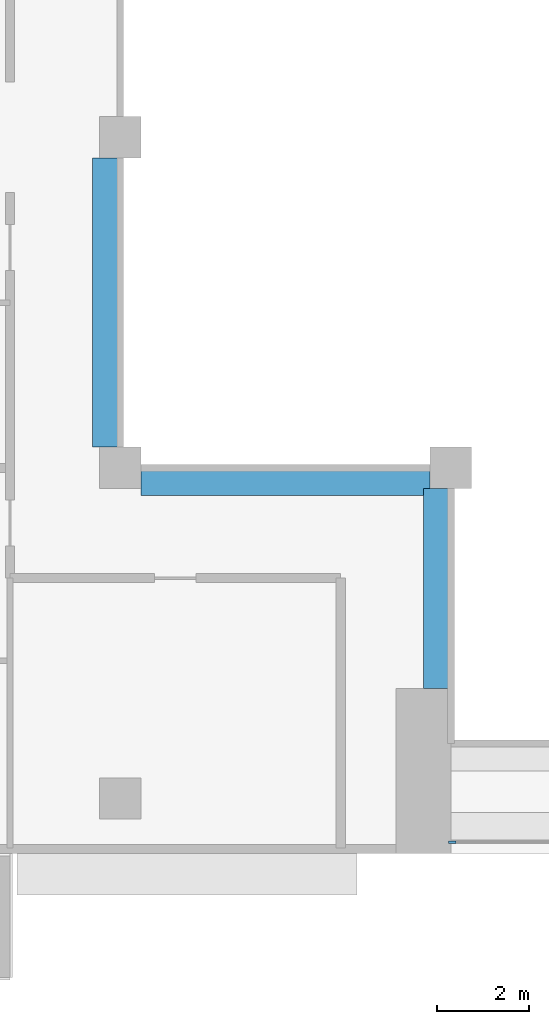
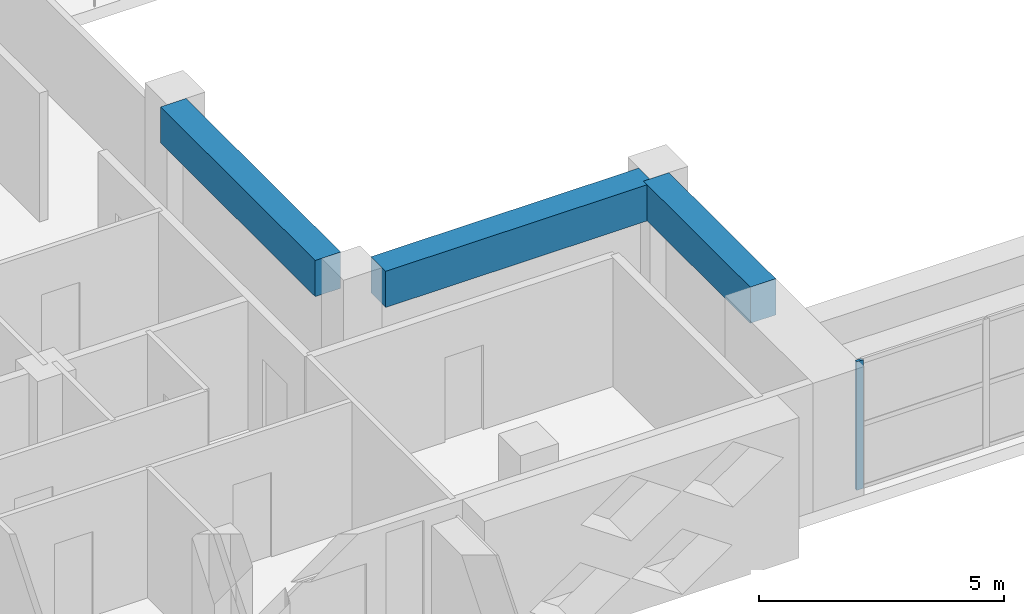
# One storey, part 2 of 20: 3 beams, 1 member, 1 element without a shape of its own.
"""IFC4 building model written with IfcOpenShell, lengths in metres."""

from ifc_helpers import new_model, si_unit, direction, frame, origin, origin_2d, place, context, subcontext, project, spatial, rectangle, extrude, source, transform, mapped, material, layer, layer_set, material_profile, profile_set, type_object, element, aggregate, save


model = new_model("IFC4")

# Units and contexts
model_context = context("Model", 3, precision=1e-05, world=origin(), true_north=direction((0.0, 1.0)))
body_context = subcontext(model_context, "Body", "Model", "MODEL_VIEW")
ifc_project = project(units=[si_unit("LENGTHUNIT", "METRE"), si_unit("AREAUNIT", "SQUARE_METRE"), si_unit("VOLUMEUNIT", "CUBIC_METRE"), si_unit("PLANEANGLEUNIT", "RADIAN"), si_unit("MASSUNIT", "GRAM", prefix="KILO")], contexts=[model_context])

# Site, building, storey
site_placement = place(None, origin())
site = spatial("IfcSite", under=ifc_project, at=site_placement, CompositionType="ELEMENT")
building_placement = place(site_placement, origin())
building = spatial("IfcBuilding", under=site, at=building_placement, Name="Saffron Iwan Residences", CompositionType="ELEMENT")
storey_placement = place(building_placement, frame((0.0, 0.0, 181.5)))
storey = spatial("IfcBuildingStorey", under=building, at=storey_placement, Name="L48", CompositionType="ELEMENT", Elevation=181.5)

# Beams
ifc_material_1 = material(Name="Concrete C50/60", Category="concrete")
ifc_material_profile_1 = material_profile(ifc_material_1, rectangle(XDim=0.60009765625, YDim=0.89990234375, at=origin_2d()), Name="RC 600x900")
ifc_profile_set_1 = profile_set([ifc_material_profile_1], Name="Concrete C50/60")
beam_type = type_object("IfcBeamType", Name="BEAM RC 600x900 C50/60 TOP 3200", PredefinedType="BEAM", material=ifc_profile_set_1)
shared_shape_1 = source(origin(), body_context, "Body", "SweptSolid", [
    extrude(rectangle(XDim=0.60009765625, YDim=0.89990234375, at=origin_2d()), origin(), (0.0, 0.0, 1.0), 4.35009765625),
])
beam_placement = place(storey_placement, frame((42.89990234375, 43.199951171875, 2.75), z_axis=(0.0, 1.0, 0.0), x_axis=(-1.0, 0.0, 0.0)))
element("IfcBeam", 1, at=beam_placement, inside=storey, type_object=beam_type, Name="Atrium edge beam", PredefinedType="BEAM", context=body_context, shape_type="MappedRepresentation", body=[
    mapped(shared_shape_1, transform((0.0, 0.0, 0.0))),
])
shared_shape_2 = source(origin(), body_context, "Body", "SweptSolid", [
    extrude(rectangle(XDim=0.60009765625, YDim=0.89990234375, at=origin_2d()), origin(), (0.0, 0.0, 1.0), 6.300048828125),
])
for number, where, z_axis, x_axis, name in (
    (2, (42.75, 47.699951171875, 2.75), (-1.0, 0.0, 0.0), (0.0, -1.0, 0.0), "Atrium edge beam"),
    (3, (35.699951171875, 48.449951171875, 2.75), (0.0, 1.0, 0.0), (-1.0, 0.0, 0.0), "Atrium edge beam"),
):
    element("IfcBeam", number, at=place(storey_placement, frame(where, z_axis=z_axis, x_axis=x_axis)), inside=storey, type_object=beam_type, Name=name, PredefinedType="BEAM", context=body_context, shape_type="MappedRepresentation", body=[
        mapped(shared_shape_2, transform((0.0, 0.0, 0.0))),
    ])

# Curtain wall, member
ifc_material_2 = material(Name="Clear glass, laminated double glazed", Category="glass")
ifc_layer = layer(ifc_material_2, 0.199951171875)
ifc_layer_set = layer_set([ifc_layer], Name="Clear glass, laminated double glazed")
curtain_wall_type = type_object("IfcCurtainWallType", Name="CW-B IWAN PORTAL", PredefinedType="NOTDEFINED", material=ifc_layer_set)
curtain_wall_placement = place(storey_placement, origin())
curtain_wall = element("IfcCurtainWall", 4, at=curtain_wall_placement, inside=storey, type_object=curtain_wall_type, Name="Iwan portal glazing L48.1", PredefinedType="NOTDEFINED")
ifc_material_3 = material(Name="Aluminium 6063-T6", Category="aluminium")
ifc_material_profile_2 = material_profile(ifc_material_3, rectangle(XDim=0.06005859375, YDim=0.159912109375, at=origin_2d()), Name="CW-B MULLION 60 x 160")
ifc_profile_set_2 = profile_set([ifc_material_profile_2], Name="Aluminium 6063-T6")
member_type = type_object("IfcMemberType", Name="CW-B MULLION 60 x 160", PredefinedType="MULLION", material=ifc_profile_set_2)
shared_shape_3 = source(origin(), body_context, "Body", "SweptSolid", [
    extrude(rectangle(XDim=0.06005859375, YDim=0.159912109375, at=origin_2d()), origin(), (0.0, 0.0, 1.0), 3.199951171875),
])
member_placement = place(storey_placement, frame((43.22998046875, 39.85009765625, 0.0), z_axis=(0.0, 0.0, 1.0), x_axis=(0.0, 1.0, 0.0)))
member = element("IfcMember", 5, at=member_placement, type_object=member_type, Name="CW-B mullion 1", PredefinedType="MULLION", context=body_context, shape_type="MappedRepresentation", body=[
    mapped(shared_shape_3, transform((0.0, 0.0, 0.0))),
])
aggregate(curtain_wall, [member])

save(model, "model.ifc")
